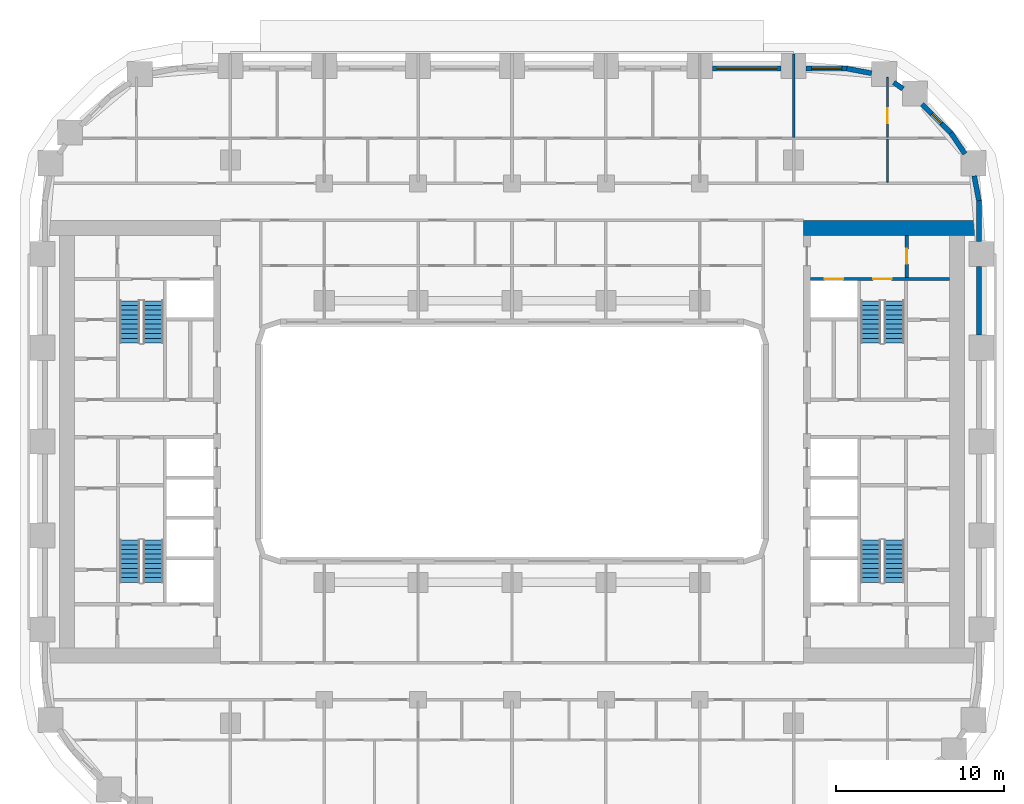
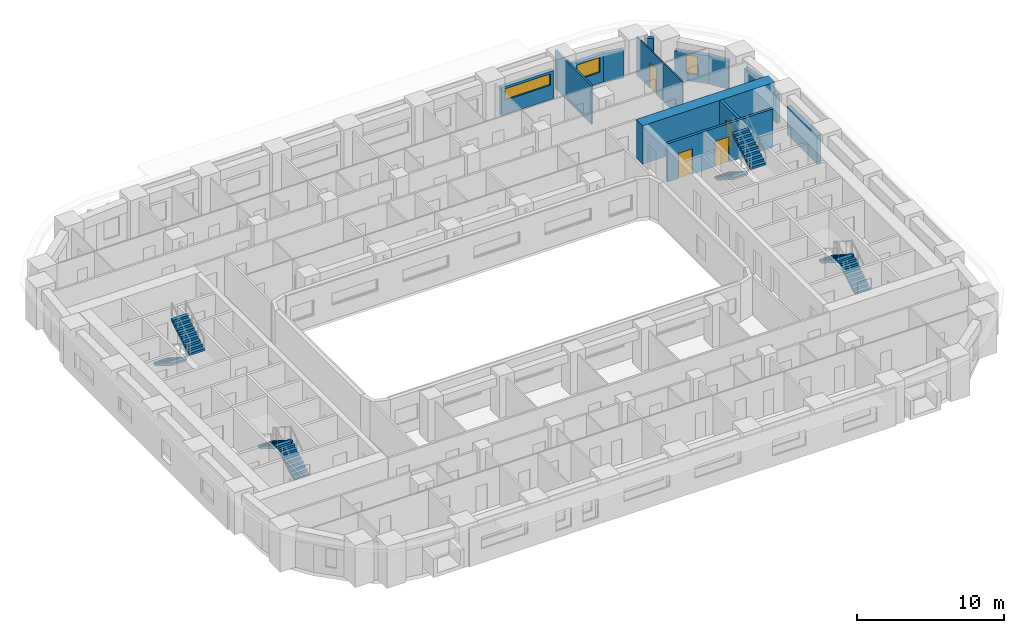
# One storey, part 10 of 22: 15 walls, 8 stair flights, 4 doors, 3 windows, 7 openings, 4 elements without a shape of their own.
"""IFC4 building model written with IfcOpenShell, lengths in metres."""

import ifcopenshell
import ifcopenshell.guid

model = None  # the IFC model being written
_history = None  # IfcOwnerHistory: only IFC2X3 demands one
_inside = {}  # id of a spatial element -> (the spatial element, [elements in it])
_under = {}  # id of a project, library or spatial element -> (it, [spatial elements below it])
_declared = {}  # id of a project -> (the project, [libraries it declares])
_typed = {}  # id of a type object -> (the type object, [elements of that type])
_made_of = {}  # id of a material, layer set ... -> (it, [elements and type objects made of it])


def new_model(schema):
    """Start an empty IFC model of exactly this schema.

    Asked for "IFC4X3", IfcOpenShell would pick the latest addendum, in which some entities
    have other attributes; the version numbers below select the first issue.
    IFC2X3 requires an IfcOwnerHistory on every rooted entity: one is made here for all.
    """
    global model, _history
    if schema == "IFC4X3":
        model = ifcopenshell.file(schema_version=(4, 3, 0, 0))
    else:
        model = ifcopenshell.file(schema=schema)
    _inside.clear()
    _under.clear()
    _declared.clear()
    _typed.clear()
    _made_of.clear()
    _history = None
    if model.schema == "IFC2X3":
        org = make("IfcOrganization", Name="unknown")
        user = make(
            "IfcPersonAndOrganization",
            ThePerson=make("IfcPerson", FamilyName="unknown"),
            TheOrganization=org,
        )
        app = make(
            "IfcApplication",
            ApplicationDeveloper=org,
            Version="unknown",
            ApplicationFullName="unknown",
            ApplicationIdentifier="unknown",
        )
        _history = make(
            "IfcOwnerHistory",
            OwningUser=user,
            OwningApplication=app,
            ChangeAction="ADDED",
            CreationDate=0,
        )
    return model


def make(cls, **values):
    """One entity of the class cls with the attributes given. An attribute that is None is left unset."""
    return model.create_entity(
        cls, **{name: value for name, value in values.items() if value is not None}
    )


def rooted(cls, **values):
    """An entity with a GlobalId (a new one), such as an element, a storey or a relation."""
    return make(cls, GlobalId=ifcopenshell.guid.new(), OwnerHistory=_history, **values)


def si_unit(unit_type, name, prefix=None):
    """IfcSIUnit, for example si_unit("LENGTHUNIT", "METRE", prefix="MILLI")."""
    return make("IfcSIUnit", UnitType=unit_type, Prefix=prefix, Name=name)


def assignment(units):
    """IfcUnitAssignment: the units of a project."""
    return None if units is None else make("IfcUnitAssignment", Units=units)


def point(xyz):
    """IfcCartesianPoint."""
    return None if xyz is None else make("IfcCartesianPoint", Coordinates=xyz)


def direction(xyz):
    """IfcDirection."""
    return None if xyz is None else make("IfcDirection", DirectionRatios=xyz)


def frame(location, z_axis=None, x_axis=None):
    """IfcAxis2Placement3D, a coordinate frame: its origin and axes. An axis left out is left unset."""
    return make(
        "IfcAxis2Placement3D",
        Location=point(location),
        Axis=direction(z_axis),
        RefDirection=direction(x_axis),
    )


def frame_2d(location, x_axis=None):
    """IfcAxis2Placement2D, a coordinate frame in the plane: its origin and x axis."""
    return make(
        "IfcAxis2Placement2D", Location=point(location), RefDirection=direction(x_axis)
    )


def origin():
    """The frame at (0, 0, 0) with its axes left unset."""
    return frame((0.0, 0.0, 0.0))


def place(relative_to, where):
    """IfcLocalPlacement: puts the frame where relative to a parent placement (None: the world)."""
    return make(
        "IfcLocalPlacement", PlacementRelTo=relative_to, RelativePlacement=where
    )


def context(
    kind, dimensions, precision=None, world=None, true_north=None, identifier=None
):
    """IfcGeometricRepresentationContext, for example the 3D "Model" context."""
    return make(
        "IfcGeometricRepresentationContext",
        ContextIdentifier=identifier,
        ContextType=kind,
        CoordinateSpaceDimension=dimensions,
        Precision=precision,
        WorldCoordinateSystem=world,
        TrueNorth=true_north,
    )


def subcontext(parent, identifier, kind, view, scale=None):
    """IfcGeometricRepresentationSubContext, for example "Body" below "Model"."""
    return make(
        "IfcGeometricRepresentationSubContext",
        ContextIdentifier=identifier,
        ContextType=kind,
        ParentContext=parent,
        TargetScale=scale,
        TargetView=view,
    )


def project(units=None, contexts=None):
    """IfcProject with its units and contexts."""
    return rooted(
        "IfcProject",
        Name="project",
        RepresentationContexts=contexts,
        UnitsInContext=assignment(units),
    )


def spatial(cls, under=None, at=None, **own):
    """A site, building, storey or space (cls), placed at a placement, below another one or the project."""
    s = rooted(cls, ObjectPlacement=at, **own)
    if under is not None:
        _under.setdefault(under.id(), (under, []))[1].append(s)
    return s


def polyline(points):
    """IfcPolyline through the points."""
    return make("IfcPolyline", Points=[point(p) for p in points])


def profile(cls, at=None, kind="AREA", **sizes):
    """A parametric profile (cls). Its sizes go by their IFC names, for example OverallWidth=200.0."""
    return make(cls, ProfileType=kind, Position=at, **sizes)


def rectangle(**sizes):
    """IfcRectangleProfileDef."""
    return profile("IfcRectangleProfileDef", **sizes)


def outline(outer, holes=None, kind="AREA"):
    """IfcArbitraryClosedProfileDef: a profile drawn as a closed curve; with holes, ...WithVoids."""
    if holes is None:
        return make("IfcArbitraryClosedProfileDef", ProfileType=kind, OuterCurve=outer)
    return make(
        "IfcArbitraryProfileDefWithVoids",
        ProfileType=kind,
        OuterCurve=outer,
        InnerCurves=holes,
    )


def extrude(swept, where, along, depth):
    """IfcExtrudedAreaSolid: the profile swept, set in the frame where, extruded along a direction by depth."""
    return make(
        "IfcExtrudedAreaSolid",
        SweptArea=swept,
        Position=where,
        ExtrudedDirection=direction(along),
        Depth=depth,
    )


def shape(context_of_items, identifier, shape_type, items):
    """IfcShapeRepresentation: the items that make up one representation, for example the "Body"."""
    return make(
        "IfcShapeRepresentation",
        ContextOfItems=context_of_items,
        RepresentationIdentifier=identifier,
        RepresentationType=shape_type,
        Items=items,
    )


def material(Name=None, Category=None):
    """IfcMaterial."""
    return make("IfcMaterial", Name=Name, Category=Category)


def layer(
    of_material, thickness, ventilated=None, Name=None, Category=None, Priority=None
):
    """IfcMaterialLayer: one layer of a wall or slab, of a material (None: an air gap)."""
    return make(
        "IfcMaterialLayer",
        Material=of_material,
        LayerThickness=thickness,
        IsVentilated=ventilated,
        Name=Name,
        Category=Category,
        Priority=Priority,
    )


def layer_set(layers, Name=None):
    """IfcMaterialLayerSet."""
    return make("IfcMaterialLayerSet", MaterialLayers=layers, LayerSetName=Name)


def made_of(thing, what):
    """Note that an element or type object is made of a material, layer set ...; save() writes the relation."""
    if what is not None:
        _made_of.setdefault(what.id(), (what, []))[1].append(thing)
    return thing


def type_object(cls, material=None, **own):
    """A type object (cls), such as IfcWallType, which elements share."""
    return made_of(rooted(cls, **own), material)


def element(
    cls,
    number,
    at=None,
    inside=None,
    cuts=None,
    type_object=None,
    material=None,
    context=None,
    identifier="Body",
    shape_type=None,
    held_by="IfcProductDefinitionShape",
    body=None,
    shapes=None,
    **own,
):
    """One element of the class cls, such as IfcWall. Its Tag is "e" and its number.

    at: its placement. inside: the storey or other place that contains it. cuts: it is an
    opening in that element (IfcRelVoidsElement). A single representation is given by context,
    identifier, shape_type and body (its items); several are given by shapes. held_by: the class
    of the entity that holds the representations. save() writes the other relations.
    """
    e = rooted(cls, Tag="e%d" % number, ObjectPlacement=at, **own)
    if body is not None:
        shapes = [shape(context, identifier, shape_type, body)]
    if shapes is not None:
        e.Representation = make(held_by, Representations=shapes)
    if inside is not None:
        _inside.setdefault(inside.id(), (inside, []))[1].append(e)
    if cuts is not None:
        rooted(
            "IfcRelVoidsElement", RelatingBuildingElement=cuts, RelatedOpeningElement=e
        )
    if type_object is not None:
        _typed.setdefault(type_object.id(), (type_object, []))[1].append(e)
    return made_of(e, material)


def fill(opening, filler):
    """IfcRelFillsElement: the door or window that sits in an opening."""
    return rooted(
        "IfcRelFillsElement",
        RelatingOpeningElement=opening,
        RelatedBuildingElement=filler,
    )


def aggregate(whole, parts):
    """IfcRelAggregates: a whole, such as a stair, and the parts it consists of."""
    return rooted("IfcRelAggregates", RelatingObject=whole, RelatedObjects=parts)


def save(model, path):
    """Write the relations noted so far, then the file.

    IfcRelAggregates (storeys below a building ...), IfcRelContainedInSpatialStructure (elements
    in a storey), IfcRelDefinesByType, IfcRelAssociatesMaterial and IfcRelDeclares: one each for
    every whole, place, type object, material and project.
    """
    for whole, parts in _under.values():
        aggregate(whole, parts)
    for where, things in _inside.values():
        rooted(
            "IfcRelContainedInSpatialStructure",
            RelatedElements=things,
            RelatingStructure=where,
        )
    for kind, things in _typed.values():
        rooted("IfcRelDefinesByType", RelatedObjects=things, RelatingType=kind)
    for what, things in _made_of.values():
        rooted("IfcRelAssociatesMaterial", RelatedObjects=things, RelatingMaterial=what)
    for by, libraries in _declared.values():
        rooted("IfcRelDeclares", RelatingContext=by, RelatedDefinitions=libraries)
    model.write(path)


model = new_model("IFC4")

# Units and contexts
model_context = context("Model", 3, precision=1e-05, world=origin(), true_north=direction((0.0, 1.0)))
body_context = subcontext(model_context, "Body", "Model", "MODEL_VIEW")
ifc_project = project(units=[si_unit("LENGTHUNIT", "METRE"), si_unit("AREAUNIT", "SQUARE_METRE"), si_unit("VOLUMEUNIT", "CUBIC_METRE"), si_unit("PLANEANGLEUNIT", "RADIAN"), si_unit("MASSUNIT", "GRAM", prefix="KILO")], contexts=[model_context])

# Site, building, storey
site_placement = place(None, origin())
site = spatial("IfcSite", under=ifc_project, at=site_placement, CompositionType="ELEMENT")
building_placement = place(site_placement, origin())
building = spatial("IfcBuilding", under=site, at=building_placement, Name="Kiln Ring Residences", CompositionType="ELEMENT")
storey_placement = place(building_placement, frame((0.0, 0.0, 44.5)))
storey = spatial("IfcBuildingStorey", under=building, at=storey_placement, Name="L10", CompositionType="ELEMENT", Elevation=44.5)

# Wall, opening, door
ifc_material_1 = material(Name="Gypsum board on steel studs", Category="steel")
ifc_layer_1 = layer(ifc_material_1, 0.199951171875)
ifc_layer_set_1 = layer_set([ifc_layer_1], Name="CORE-PARTITION-200")
wall_type_1 = type_object("IfcWallType", Name="CORE-PARTITION-200", PredefinedType="PARTITIONING", material=ifc_layer_set_1)
wall_1_placement = place(storey_placement, frame((23.550048828125, 9.800048828125, 0.0), z_axis=(0.0, 0.0, 1.0), x_axis=(0.0, 1.0, 0.0)))
wall_1 = element("IfcWall", 1, at=wall_1_placement, inside=storey, type_object=wall_type_1, Name="Core partition east L10 4", PredefinedType="PARTITIONING", context=body_context, shape_type="SweptSolid", body=[
    extrude(rectangle(XDim=2.5, YDim=0.199951171875, at=frame_2d((1.25, 0.0))), origin(), (0.0, 0.0, 1.0), 3.199951171875),
])
opening_1_placement = place(wall_1_placement, frame((0.800048828125, 0.0, 0.0)))
opening_1 = element("IfcOpeningElement", 2, at=opening_1_placement, cuts=wall_1, Name="Opening L10-CE10", PredefinedType="OPENING", context=body_context, shape_type="SweptSolid", body=[
    extrude(rectangle(XDim=0.89990234375, YDim=2.10009765625, at=frame_2d((0.449951171875, 1.050048828125))), frame((0.0, 0.10986328125, 0.0), z_axis=(0.0, -1.0, 0.0), x_axis=(1.0, 0.0, 0.0)), (0.0, 0.0, 1.0), 0.219970703125),
])
ifc_material_2 = material(Name="Steel door leaf", Category="steel")
door_type_1 = type_object("IfcDoorType", Name="CORE-DOOR-ROOM", OperationType="SINGLE_SWING_LEFT", PredefinedType="DOOR", material=ifc_material_2)
door_1_placement = place(opening_1_placement, origin())
door_1 = element("IfcDoor", 3, at=door_1_placement, inside=storey, type_object=door_type_1, Name="Fire riser room L10-CE10", OperationType="SINGLE_SWING_LEFT", OverallHeight=2.10009765625, OverallWidth=0.89990234375, PredefinedType="DOOR", context=body_context, shape_type="SweptSolid", body=[
    extrude(rectangle(XDim=0.89990234375, YDim=2.10009765625, at=frame_2d((0.449951171875, 1.050048828125))), frame((0.0, 0.02490234375, 0.0), z_axis=(0.0, -1.0, 0.0), x_axis=(1.0, 0.0, 0.0)), (0.0, 0.0, 1.0), 0.050048828125),
])
fill(opening_1, door_1)

# Wall, openings, doors
ifc_material_3 = material(Name="Concrete C40/50", Category="concrete")
ifc_layer_2 = layer(ifc_material_3, 0.199951171875)
ifc_layer_set_2 = layer_set([ifc_layer_2], Name="CORE-WALL-RC200")
wall_type_2 = type_object("IfcWallType", Name="CORE-WALL-RC200", PredefinedType="SHEAR", material=ifc_layer_set_2)
wall_2_placement = place(storey_placement, frame((17.800048828125, 9.699951171875, 0.0), z_axis=(0.0, 0.0, 1.0), x_axis=(1.0, 0.0, 0.0)))
wall_2 = element("IfcWall", 4, at=wall_2_placement, inside=storey, type_object=wall_type_2, Name="Core wall east L10 9", PredefinedType="SHEAR", context=body_context, shape_type="SweptSolid", body=[
    extrude(rectangle(XDim=8.300048828125, YDim=0.199951171875, at=frame_2d((4.14990234375, 0.0))), origin(), (0.0, 0.0, 1.0), 3.199951171875),
])
opening_2_placement = place(wall_2_placement, frame((0.85009765625, 0.0, 0.0)))
opening_2 = element("IfcOpeningElement", 5, at=opening_2_placement, cuts=wall_2, Name="Opening L10-CE07", PredefinedType="OPENING", context=body_context, shape_type="SweptSolid", body=[
    extrude(rectangle(XDim=1.10009765625, YDim=2.10009765625, at=frame_2d((0.550048828125, 1.050048828125))), frame((0.0, 0.10986328125, 0.0), z_axis=(0.0, -1.0, 0.0), x_axis=(1.0, 0.0, 0.0)), (0.0, 0.0, 1.0), 0.219970703125),
])
opening_3_placement = place(wall_2_placement, frame((3.75, 0.0, 0.0)))
opening_3 = element("IfcOpeningElement", 6, at=opening_3_placement, cuts=wall_2, Name="Opening L10-CE12", PredefinedType="OPENING", context=body_context, shape_type="SweptSolid", body=[
    extrude(rectangle(XDim=1.10009765625, YDim=2.10009765625, at=frame_2d((0.550048828125, 1.050048828125))), frame((0.0, 0.10986328125, 0.0), z_axis=(0.0, -1.0, 0.0), x_axis=(1.0, 0.0, 0.0)), (0.0, 0.0, 1.0), 0.219970703125),
])
ifc_material_4 = material(Name="Steel door leaf", Category="steel")
door_type_2 = type_object("IfcDoorType", Name="CORE-DOOR-LD", OperationType="DOUBLE_DOOR_SLIDING", PredefinedType="DOOR", material=ifc_material_4)
door_2_placement = place(opening_2_placement, origin())
door_2 = element("IfcDoor", 7, at=door_2_placement, inside=storey, type_object=door_type_2, Name="LD E-FF L10-CE07", OperationType="DOUBLE_DOOR_SLIDING", OverallHeight=2.10009765625, OverallWidth=1.10009765625, PredefinedType="DOOR", context=body_context, shape_type="SweptSolid", body=[
    extrude(rectangle(XDim=1.10009765625, YDim=2.10009765625, at=frame_2d((0.550048828125, 1.050048828125))), frame((0.0, 0.02490234375, 0.0), z_axis=(0.0, -1.0, 0.0), x_axis=(1.0, 0.0, 0.0)), (0.0, 0.0, 1.0), 0.050048828125),
])
fill(opening_2, door_2)
ifc_material_5 = material(Name="Steel door leaf", Category="steel")
door_type_3 = type_object("IfcDoorType", Name="CORE-DOOR-STAIR", OperationType="SINGLE_SWING_LEFT", PredefinedType="DOOR", material=ifc_material_5)
door_3_placement = place(opening_3_placement, origin())
door_3 = element("IfcDoor", 8, at=door_3_placement, inside=storey, type_object=door_type_3, Name="Stair E-STN L10-CE12", OperationType="SINGLE_SWING_LEFT", OverallHeight=2.10009765625, OverallWidth=1.10009765625, PredefinedType="DOOR", context=body_context, shape_type="SweptSolid", body=[
    extrude(rectangle(XDim=1.10009765625, YDim=2.10009765625, at=frame_2d((0.550048828125, 1.050048828125))), frame((0.0, 0.02490234375, 0.0), z_axis=(0.0, -1.0, 0.0), x_axis=(1.0, 0.0, 0.0)), (0.0, 0.0, 1.0), 0.050048828125),
])
fill(opening_3, door_3)

# Walls
ifc_material_6 = material(Name="Concrete C60/75", Category="concrete")
ifc_layer_3 = layer(ifc_material_6, 0.89990234375)
ifc_layer_set_3 = layer_set([ifc_layer_3], Name="CORE-WALL-RC900")
wall_type_3 = type_object("IfcWallType", Name="CORE-WALL-RC900", PredefinedType="SHEAR", material=ifc_layer_set_3)
wall_3_placement = place(storey_placement, frame((17.39990234375, 12.75, 0.0), z_axis=(0.0, 0.0, 1.0), x_axis=(1.0, 0.0, 0.0)))
element("IfcWall", 9, at=wall_3_placement, inside=storey, type_object=wall_type_3, Name="Core wall east L10 4", PredefinedType="SHEAR", context=body_context, shape_type="SweptSolid", body=[
    extrude(rectangle(XDim=10.400146484375, YDim=0.89990234375, at=frame_2d((5.2001953125, 0.0))), origin(), (0.0, 0.0, 1.0), 3.199951171875),
])
ifc_material_7 = material(Name="Brick masonry, dark clay brick", Category="masonry")
ifc_layer_4 = layer(ifc_material_7, 0.300048828125)
ifc_layer_set_4 = layer_set([ifc_layer_4], Name="EW-300 BRICK WALL")
wall_type_4 = type_object("IfcWallType", Name="EW-300 BRICK WALL", PredefinedType="SOLIDWALL", material=ifc_layer_set_4)
wall_4_placement = place(storey_placement, frame((27.85009765625, 6.35009765625, 0.0), z_axis=(0.0, 0.0, 1.0), x_axis=(0.0, 1.0, 0.0)))
element("IfcWall", 10, at=wall_4_placement, inside=storey, type_object=wall_type_4, Name="Facade wall L10 21", PredefinedType="SOLIDWALL", context=body_context, shape_type="SweptSolid", body=[
    extrude(rectangle(XDim=4.099853515625, YDim=0.300048828125, at=frame_2d((2.0498046875, 0.0))), origin(), (0.0, 0.0, 1.0), 2.35009765625),
])
wall_5_placement = place(storey_placement, frame((27.85009765625, 11.949951171875, 0.0), z_axis=(0.0, 0.0, 1.0), x_axis=(0.0, 1.0, 0.0)))
element("IfcWall", 11, at=wall_5_placement, inside=storey, type_object=wall_type_4, Name="Facade wall L10 22", PredefinedType="SOLIDWALL", context=body_context, shape_type="SweptSolid", body=[
    extrude(rectangle(XDim=2.449951171875, YDim=0.300048828125, at=frame_2d((1.22509765625, 0.0))), origin(), (0.0, 0.0, 1.0), 2.35009765625),
])
for number, where, z_axis, x_axis, name in (
    (12, (27.8525390625, 14.371826171875, 0.0), (0.0, 0.0, 1.0), (-0.187223837635, 0.982317277982, 0.0), "Facade wall L10 23"),
    (13, (27.025390625, 17.1669921875, 0.0), (0.0, 0.0, 1.0), (-0.561973021955, 0.827155561303, 0.0), "Facade wall L10 24"),
):
    element("IfcWall", number, at=place(storey_placement, frame(where, z_axis=z_axis, x_axis=x_axis)), inside=storey, type_object=wall_type_4, Name=name, PredefinedType="SOLIDWALL", context=body_context, shape_type="SweptSolid", body=[
        extrude(rectangle(XDim=1.506103515625, YDim=0.300048828125, at=frame_2d((0.7529296875, 0.0))), origin(), (0.0, 0.0, 1.0), 2.35009765625),
    ])

# Wall, opening, window
wall_6_placement = place(storey_placement, frame((26.19677734375, 18.390869140625, 0.0), z_axis=(0.0, 0.0, 1.0), x_axis=(-0.707106781187, 0.707106781187, 0.0)))
wall_6 = element("IfcWall", 14, at=wall_6_placement, inside=storey, type_object=wall_type_4, Name="Facade wall L10 25", PredefinedType="SOLIDWALL", context=body_context, shape_type="SweptSolid", body=[
    extrude(rectangle(XDim=2.449951171875, YDim=0.300048828125, at=frame_2d((1.22509765625, 0.0))), origin(), (0.0, 0.0, 1.0), 2.35009765625),
])
opening_4_placement = place(wall_6_placement, frame((0.824951171875, 0.0, 0.60009765625)))
opening_4 = element("IfcOpeningElement", 15, at=opening_4_placement, cuts=wall_6, Name="Opening W5", PredefinedType="OPENING", context=body_context, shape_type="SweptSolid", body=[
    extrude(rectangle(XDim=0.800048828125, YDim=1.550048828125, at=frame_2d((0.39990234375, 0.77490234375))), frame((0.0, 0.159912109375, 0.0), z_axis=(0.0, -1.0, 0.0), x_axis=(1.0, 0.0, 0.0)), (0.0, 0.0, 1.0), 0.320068359375),
])
ifc_material_8 = material(Name="Aluminium frame with double glazing", Category="aluminium")
window_type_1 = type_object("IfcWindowType", Name="WINDOW 800 x 1550", PartitioningType="SINGLE_PANEL", PredefinedType="WINDOW", material=ifc_material_8)
window_1_placement = place(opening_4_placement, origin())
window_1 = element("IfcWindow", 16, at=window_1_placement, inside=storey, type_object=window_type_1, Name="Window L10 12", OverallHeight=1.550048828125, OverallWidth=0.800048828125, PartitioningType="SINGLE_PANEL", PredefinedType="WINDOW", context=body_context, shape_type="SweptSolid", body=[
    extrude(rectangle(XDim=0.800048828125, YDim=1.550048828125, at=frame_2d((0.39990234375, 0.77490234375))), frame((0.0, 0.030029296875, 0.0), z_axis=(0.0, -1.0, 0.0), x_axis=(1.0, 0.0, 0.0)), (0.0, 0.0, 1.0), 0.06005859375),
])
fill(opening_4, window_1)

# Walls
wall_7_placement = place(storey_placement, frame((23.3271484375, 21.044921875, 0.0), z_axis=(0.0, 0.0, 1.0), x_axis=(-0.827080706709, 0.562083182981, 0.0)))
element("IfcWall", 17, at=wall_7_placement, inside=storey, type_object=wall_type_4, Name="Facade wall L10 26", PredefinedType="SOLIDWALL", context=body_context, shape_type="SweptSolid", body=[
    extrude(rectangle(XDim=0.67724609375, YDim=0.300048828125, at=frame_2d((0.338623046875, 0.0))), origin(), (0.0, 0.0, 1.0), 3.199951171875),
])
wall_8_placement = place(storey_placement, frame((21.451416015625, 21.970458984375, 0.0), z_axis=(0.0, 0.0, 1.0), x_axis=(-0.982287454367, 0.187380247071, 0.0)))
element("IfcWall", 18, at=wall_8_placement, inside=storey, type_object=wall_type_4, Name="Facade wall L10 27", PredefinedType="SOLIDWALL", context=body_context, shape_type="SweptSolid", body=[
    extrude(rectangle(XDim=1.506103515625, YDim=0.300048828125, at=frame_2d((0.7529296875, 0.0))), origin(), (0.0, 0.0, 1.0), 2.35009765625),
])

# Wall, opening, window
wall_9_placement = place(storey_placement, frame((20.0, 22.25, 0.0), z_axis=(0.0, 0.0, 1.0), x_axis=(-1.0, 0.0, 0.0)))
wall_9 = element("IfcWall", 19, at=wall_9_placement, inside=storey, type_object=wall_type_4, Name="Facade wall L10 28", PredefinedType="SOLIDWALL", context=body_context, shape_type="SweptSolid", body=[
    extrude(rectangle(XDim=2.449951171875, YDim=0.300048828125, at=frame_2d((1.22509765625, 0.0))), origin(), (0.0, 0.0, 1.0), 2.35009765625),
])
opening_5_placement = place(wall_9_placement, frame((0.324951171875, 0.0, 0.89990234375)))
opening_5 = element("IfcOpeningElement", 20, at=opening_5_placement, cuts=wall_9, Name="Opening W2", PredefinedType="OPENING", context=body_context, shape_type="SweptSolid", body=[
    extrude(rectangle(XDim=1.800048828125, YDim=1.25, at=frame_2d((0.89990234375, 0.625))), frame((0.0, 0.159912109375, 0.0), z_axis=(0.0, -1.0, 0.0), x_axis=(1.0, 0.0, 0.0)), (0.0, 0.0, 1.0), 0.320068359375),
])
ifc_material_9 = material(Name="Aluminium frame with double glazing", Category="aluminium")
window_type_2 = type_object("IfcWindowType", Name="WINDOW 1800 x 1250", PartitioningType="SINGLE_PANEL", PredefinedType="WINDOW", material=ifc_material_9)
window_2_placement = place(opening_5_placement, origin())
window_2 = element("IfcWindow", 21, at=window_2_placement, inside=storey, type_object=window_type_2, Name="Window L10 13", OverallHeight=1.25, OverallWidth=1.800048828125, PartitioningType="SINGLE_PANEL", PredefinedType="WINDOW", context=body_context, shape_type="SweptSolid", body=[
    extrude(rectangle(XDim=1.800048828125, YDim=1.25, at=frame_2d((0.89990234375, 0.625))), frame((0.0, 0.030029296875, 0.0), z_axis=(0.0, -1.0, 0.0), x_axis=(1.0, 0.0, 0.0)), (0.0, 0.0, 1.0), 0.06005859375),
])
fill(opening_5, window_2)

wall_10_placement = place(storey_placement, frame((16.050048828125, 22.25, 0.0), z_axis=(0.0, 0.0, 1.0), x_axis=(-1.0, 0.0, 0.0)))
wall_10 = element("IfcWall", 22, at=wall_10_placement, inside=storey, type_object=wall_type_4, Name="Facade wall L10 29", PredefinedType="SOLIDWALL", context=body_context, shape_type="SweptSolid", body=[
    extrude(rectangle(XDim=4.10009765625, YDim=0.300048828125, at=frame_2d((2.050048828125, 0.0))), origin(), (0.0, 0.0, 1.0), 2.35009765625),
])
opening_6_placement = place(wall_10_placement, frame((0.25, 0.0, 1.199951171875)))
opening_6 = element("IfcOpeningElement", 23, at=opening_6_placement, cuts=wall_10, Name="Opening W4", PredefinedType="OPENING", context=body_context, shape_type="SweptSolid", body=[
    extrude(rectangle(XDim=3.60009765625, YDim=0.949951171875, at=frame_2d((1.800048828125, 0.47509765625))), frame((0.0, 0.159912109375, 0.0), z_axis=(0.0, -1.0, 0.0), x_axis=(1.0, 0.0, 0.0)), (0.0, 0.0, 1.0), 0.320068359375),
])
ifc_material_10 = material(Name="Aluminium frame with double glazing", Category="aluminium")
window_type_3 = type_object("IfcWindowType", Name="WINDOW 3600 x 950", PartitioningType="SINGLE_PANEL", PredefinedType="WINDOW", material=ifc_material_10)
window_3_placement = place(opening_6_placement, origin())
window_3 = element("IfcWindow", 24, at=window_3_placement, inside=storey, type_object=window_type_3, Name="Window L10 14", OverallHeight=0.949951171875, OverallWidth=3.60009765625, PartitioningType="SINGLE_PANEL", PredefinedType="WINDOW", context=body_context, shape_type="SweptSolid", body=[
    extrude(rectangle(XDim=3.60009765625, YDim=0.949951171875, at=frame_2d((1.800048828125, 0.47509765625))), frame((0.0, 0.030029296875, 0.0), z_axis=(0.0, -1.0, 0.0), x_axis=(1.0, 0.0, 0.0)), (0.0, 0.0, 1.0), 0.06005859375),
])
fill(opening_6, window_3)

# Wall
ifc_material_11 = material(Name="Gypsum board on steel studs", Category="steel")
ifc_layer_5 = layer(ifc_material_11, 0.10009765625)
ifc_layer_set_5 = layer_set([ifc_layer_5], Name="PARTITION-100")
wall_type_5 = type_object("IfcWallType", Name="PARTITION-100", PredefinedType="PARTITIONING", material=ifc_layer_set_5)
wall_11_placement = place(storey_placement, frame((22.39990234375, 15.47509765625, 0.0), z_axis=(0.0, 0.0, 1.0), x_axis=(0.0, 1.0, 0.0)))
element("IfcWall", 25, at=wall_11_placement, inside=storey, type_object=wall_type_5, Name="Partition 074", PredefinedType="PARTITIONING", context=body_context, shape_type="SweptSolid", body=[
    extrude(rectangle(XDim=2.574951171875, YDim=0.10009765625, at=frame_2d((1.28759765625, 0.0))), origin(), (0.0, 0.0, 1.0), 3.199951171875),
])

# Wall, opening, door
wall_12_placement = place(storey_placement, frame((22.39990234375, 18.14990234375, 0.0), z_axis=(0.0, 0.0, 1.0), x_axis=(0.0, 1.0, 0.0)))
wall_12 = element("IfcWall", 26, at=wall_12_placement, inside=storey, type_object=wall_type_5, Name="Partition 075", PredefinedType="PARTITIONING", context=body_context, shape_type="SweptSolid", body=[
    extrude(rectangle(XDim=3.570068359375, YDim=0.10009765625, at=frame_2d((1.78515625, 0.0))), origin(), (0.0, 0.0, 1.0), 3.199951171875),
])
opening_7_placement = place(wall_12_placement, frame((0.85009765625, 0.0, 0.0)))
opening_7 = element("IfcOpeningElement", 27, at=opening_7_placement, cuts=wall_12, Name="Opening L10-D044", PredefinedType="OPENING", context=body_context, shape_type="SweptSolid", body=[
    extrude(rectangle(XDim=0.89990234375, YDim=2.10009765625, at=frame_2d((0.449951171875, 1.050048828125))), frame((0.0, 0.06005859375, 0.0), z_axis=(0.0, -1.0, 0.0), x_axis=(1.0, 0.0, 0.0)), (0.0, 0.0, 1.0), 0.1201171875),
])
ifc_material_12 = material(Name="Timber door leaf", Category="wood")
door_type_4 = type_object("IfcDoorType", Name="FLAT-DOOR-900-PL", OperationType="SINGLE_SWING_LEFT", PredefinedType="DOOR", material=ifc_material_12)
door_4_placement = place(opening_7_placement, origin())
door_4 = element("IfcDoor", 28, at=door_4_placement, inside=storey, type_object=door_type_4, Name="Door L10-D044", OperationType="SINGLE_SWING_LEFT", OverallHeight=2.10009765625, OverallWidth=0.89990234375, PredefinedType="DOOR", context=body_context, shape_type="SweptSolid", body=[
    extrude(rectangle(XDim=0.89990234375, YDim=2.10009765625, at=frame_2d((0.449951171875, 1.050048828125))), frame((0.0, 0.02490234375, 0.0), z_axis=(0.0, -1.0, 0.0), x_axis=(1.0, 0.0, 0.0)), (0.0, 0.0, 1.0), 0.050048828125),
])
fill(opening_7, door_4)

# Wall
ifc_material_13 = material(Name="Brick masonry partition", Category="masonry")
ifc_layer_6 = layer(ifc_material_13, 0.14990234375)
ifc_layer_set_6 = layer_set([ifc_layer_6], Name="PARTITION-150-ei60")
wall_type_6 = type_object("IfcWallType", Name="PARTITION-150-ei60", PredefinedType="PARTITIONING", material=ifc_layer_set_6)
wall_13_placement = place(storey_placement, frame((16.800048828125, 18.14990234375, 0.0), z_axis=(0.0, 0.0, 1.0), x_axis=(0.0, 1.0, 0.0)))
element("IfcWall", 29, at=wall_13_placement, inside=storey, type_object=wall_type_6, Name="Partition 071", PredefinedType="PARTITIONING", context=body_context, shape_type="SweptSolid", body=[
    extrude(rectangle(XDim=4.97998046875, YDim=0.14990234375, at=frame_2d((2.489990234375, 0.0))), origin(), (0.0, 0.0, 1.0), 3.199951171875),
])

# Stair, stair flights
ifc_material_14 = material(Name="Concrete C40/50", Category="concrete")
stair_type = type_object("IfcStairType", Name="CORE-STAIR", PredefinedType="HALF_TURN_STAIR", material=ifc_material_14)
placement = place(storey_placement, origin())
stair_1 = element("IfcStair", 30, at=placement, inside=storey, type_object=stair_type, Name="L10 stair W-STN", PredefinedType="HALF_TURN_STAIR")
ifc_material_15 = material(Name="Concrete C40/50", Category="concrete")
stair_flight_type = type_object("IfcStairFlightType", Name="CORE-STAIR-FLIGHT", PredefinedType="STRAIGHT", material=ifc_material_15)
stair_flight_1_placement = place(storey_placement, frame((-22.800048828125, 8.39990234375, 0.0), z_axis=(0.0, 0.0, 1.0), x_axis=(0.0, -1.0, 0.0)))
stair_flight_1 = element("IfcStairFlight", 31, at=stair_flight_1_placement, type_object=stair_flight_type, Name="W-STN flight 1", NumberOfRisers=10, NumberOfTreads=9, PredefinedType="STRAIGHT", RiserHeight=0.175, TreadLength=0.28, context=body_context, shape_type="SweptSolid", body=[
    extrude(outline(polyline([(0.0, 0.0), (0.0, 0.175048828125), (0.280029296875, 0.175048828125), (0.280029296875, 0.35009765625), (0.56005859375, 0.35009765625), (0.56005859375, 0.52490234375), (0.840087890625, 0.52490234375), (0.840087890625, 0.699951171875), (1.1201171875, 0.699951171875), (1.1201171875, 0.875), (1.39990234375, 0.875), (1.39990234375, 1.050048828125), (1.679931640625, 1.050048828125), (1.679931640625, 1.22509765625), (1.9599609375, 1.22509765625), (1.9599609375, 1.39990234375), (2.239990234375, 1.39990234375), (2.239990234375, 1.574951171875), (2.52001953125, 1.574951171875), (2.52001953125, 1.75), (2.52001953125, 1.398193359375), (0.28271484375, 0.0), (0.0, 0.0)])), frame((0.0, 0.60009765625, 0.0), z_axis=(0.0, -1.0, 0.0), x_axis=(1.0, 0.0, 0.0)), (0.0, 0.0, 1.0), 1.199951171875),
])
stair_flight_2_placement = place(storey_placement, frame((-21.39990234375, 5.8798828125, 1.75), z_axis=(0.0, 0.0, 1.0), x_axis=(0.0, 1.0, 0.0)))
stair_flight_2 = element("IfcStairFlight", 32, at=stair_flight_2_placement, type_object=stair_flight_type, Name="W-STN flight 2", NumberOfRisers=10, NumberOfTreads=9, PredefinedType="STRAIGHT", RiserHeight=0.175, TreadLength=0.28, context=body_context, shape_type="SweptSolid", body=[
    extrude(outline(polyline([(0.0, 0.0), (0.0, 0.175048828125), (0.280029296875, 0.175048828125), (0.280029296875, 0.35009765625), (0.56005859375, 0.35009765625), (0.56005859375, 0.52490234375), (0.840087890625, 0.52490234375), (0.840087890625, 0.699951171875), (1.1201171875, 0.699951171875), (1.1201171875, 0.875), (1.39990234375, 0.875), (1.39990234375, 1.050048828125), (1.679931640625, 1.050048828125), (1.679931640625, 1.22509765625), (1.9599609375, 1.22509765625), (1.9599609375, 1.39990234375), (2.239990234375, 1.39990234375), (2.239990234375, 1.574951171875), (2.52001953125, 1.574951171875), (2.52001953125, 1.75), (2.52001953125, 1.398193359375), (0.28271484375, 0.0), (0.0, 0.0)])), frame((0.0, 0.60009765625, 0.0), z_axis=(0.0, -1.0, 0.0), x_axis=(1.0, 0.0, 0.0)), (0.0, 0.0, 1.0), 1.199951171875),
])
aggregate(stair_1, [stair_flight_1, stair_flight_2])

stair_2 = element("IfcStair", 33, at=placement, inside=storey, type_object=stair_type, Name="L10 stair W-STS", PredefinedType="HALF_TURN_STAIR")
stair_flight_3_placement = place(storey_placement, frame((-21.39990234375, -8.39990234375, 0.0), z_axis=(0.0, 0.0, 1.0), x_axis=(0.0, 1.0, 0.0)))
stair_flight_3 = element("IfcStairFlight", 34, at=stair_flight_3_placement, type_object=stair_flight_type, Name="W-STS flight 1", NumberOfRisers=10, NumberOfTreads=9, PredefinedType="STRAIGHT", RiserHeight=0.175, TreadLength=0.28, context=body_context, shape_type="SweptSolid", body=[
    extrude(outline(polyline([(0.0, 0.0), (0.0, 0.175048828125), (0.280029296875, 0.175048828125), (0.280029296875, 0.35009765625), (0.56005859375, 0.35009765625), (0.56005859375, 0.52490234375), (0.840087890625, 0.52490234375), (0.840087890625, 0.699951171875), (1.1201171875, 0.699951171875), (1.1201171875, 0.875), (1.39990234375, 0.875), (1.39990234375, 1.050048828125), (1.679931640625, 1.050048828125), (1.679931640625, 1.22509765625), (1.9599609375, 1.22509765625), (1.9599609375, 1.39990234375), (2.239990234375, 1.39990234375), (2.239990234375, 1.574951171875), (2.52001953125, 1.574951171875), (2.52001953125, 1.75), (2.52001953125, 1.398193359375), (0.28271484375, 0.0), (0.0, 0.0)])), frame((0.0, 0.60009765625, 0.0), z_axis=(0.0, -1.0, 0.0), x_axis=(1.0, 0.0, 0.0)), (0.0, 0.0, 1.0), 1.199951171875),
])
stair_flight_4_placement = place(storey_placement, frame((-22.800048828125, -5.8798828125, 1.75), z_axis=(0.0, 0.0, 1.0), x_axis=(0.0, -1.0, 0.0)))
stair_flight_4 = element("IfcStairFlight", 35, at=stair_flight_4_placement, type_object=stair_flight_type, Name="W-STS flight 2", NumberOfRisers=10, NumberOfTreads=9, PredefinedType="STRAIGHT", RiserHeight=0.175, TreadLength=0.28, context=body_context, shape_type="SweptSolid", body=[
    extrude(outline(polyline([(0.0, 0.0), (0.0, 0.175048828125), (0.280029296875, 0.175048828125), (0.280029296875, 0.35009765625), (0.56005859375, 0.35009765625), (0.56005859375, 0.52490234375), (0.840087890625, 0.52490234375), (0.840087890625, 0.699951171875), (1.1201171875, 0.699951171875), (1.1201171875, 0.875), (1.39990234375, 0.875), (1.39990234375, 1.050048828125), (1.679931640625, 1.050048828125), (1.679931640625, 1.22509765625), (1.9599609375, 1.22509765625), (1.9599609375, 1.39990234375), (2.239990234375, 1.39990234375), (2.239990234375, 1.574951171875), (2.52001953125, 1.574951171875), (2.52001953125, 1.75), (2.52001953125, 1.398193359375), (0.28271484375, 0.0), (0.0, 0.0)])), frame((0.0, 0.60009765625, 0.0), z_axis=(0.0, -1.0, 0.0), x_axis=(1.0, 0.0, 0.0)), (0.0, 0.0, 1.0), 1.199951171875),
])
aggregate(stair_2, [stair_flight_3, stair_flight_4])

stair_3 = element("IfcStair", 36, at=placement, inside=storey, type_object=stair_type, Name="L10 stair E-STN", PredefinedType="HALF_TURN_STAIR")
stair_flight_5_placement = place(storey_placement, frame((21.39990234375, 8.39990234375, 0.0), z_axis=(0.0, 0.0, 1.0), x_axis=(0.0, -1.0, 0.0)))
stair_flight_5 = element("IfcStairFlight", 37, at=stair_flight_5_placement, type_object=stair_flight_type, Name="E-STN flight 1", NumberOfRisers=10, NumberOfTreads=9, PredefinedType="STRAIGHT", RiserHeight=0.175, TreadLength=0.28, context=body_context, shape_type="SweptSolid", body=[
    extrude(outline(polyline([(0.0, 0.0), (0.0, 0.175048828125), (0.280029296875, 0.175048828125), (0.280029296875, 0.35009765625), (0.56005859375, 0.35009765625), (0.56005859375, 0.52490234375), (0.840087890625, 0.52490234375), (0.840087890625, 0.699951171875), (1.1201171875, 0.699951171875), (1.1201171875, 0.875), (1.39990234375, 0.875), (1.39990234375, 1.050048828125), (1.679931640625, 1.050048828125), (1.679931640625, 1.22509765625), (1.9599609375, 1.22509765625), (1.9599609375, 1.39990234375), (2.239990234375, 1.39990234375), (2.239990234375, 1.574951171875), (2.52001953125, 1.574951171875), (2.52001953125, 1.75), (2.52001953125, 1.398193359375), (0.28271484375, 0.0), (0.0, 0.0)])), frame((0.0, 0.60009765625, 0.0), z_axis=(0.0, -1.0, 0.0), x_axis=(1.0, 0.0, 0.0)), (0.0, 0.0, 1.0), 1.199951171875),
])
stair_flight_6_placement = place(storey_placement, frame((22.800048828125, 5.8798828125, 1.75), z_axis=(0.0, 0.0, 1.0), x_axis=(0.0, 1.0, 0.0)))
stair_flight_6 = element("IfcStairFlight", 38, at=stair_flight_6_placement, type_object=stair_flight_type, Name="E-STN flight 2", NumberOfRisers=10, NumberOfTreads=9, PredefinedType="STRAIGHT", RiserHeight=0.175, TreadLength=0.28, context=body_context, shape_type="SweptSolid", body=[
    extrude(outline(polyline([(0.0, 0.0), (0.0, 0.175048828125), (0.280029296875, 0.175048828125), (0.280029296875, 0.35009765625), (0.56005859375, 0.35009765625), (0.56005859375, 0.52490234375), (0.840087890625, 0.52490234375), (0.840087890625, 0.699951171875), (1.1201171875, 0.699951171875), (1.1201171875, 0.875), (1.39990234375, 0.875), (1.39990234375, 1.050048828125), (1.679931640625, 1.050048828125), (1.679931640625, 1.22509765625), (1.9599609375, 1.22509765625), (1.9599609375, 1.39990234375), (2.239990234375, 1.39990234375), (2.239990234375, 1.574951171875), (2.52001953125, 1.574951171875), (2.52001953125, 1.75), (2.52001953125, 1.398193359375), (0.28271484375, 0.0), (0.0, 0.0)])), frame((0.0, 0.60009765625, 0.0), z_axis=(0.0, -1.0, 0.0), x_axis=(1.0, 0.0, 0.0)), (0.0, 0.0, 1.0), 1.199951171875),
])
aggregate(stair_3, [stair_flight_5, stair_flight_6])

stair_4 = element("IfcStair", 39, at=placement, inside=storey, type_object=stair_type, Name="L10 stair E-STS", PredefinedType="HALF_TURN_STAIR")
stair_flight_7_placement = place(storey_placement, frame((22.800048828125, -8.39990234375, 0.0), z_axis=(0.0, 0.0, 1.0), x_axis=(0.0, 1.0, 0.0)))
stair_flight_7 = element("IfcStairFlight", 40, at=stair_flight_7_placement, type_object=stair_flight_type, Name="E-STS flight 1", NumberOfRisers=10, NumberOfTreads=9, PredefinedType="STRAIGHT", RiserHeight=0.175, TreadLength=0.28, context=body_context, shape_type="SweptSolid", body=[
    extrude(outline(polyline([(0.0, 0.0), (0.0, 0.175048828125), (0.280029296875, 0.175048828125), (0.280029296875, 0.35009765625), (0.56005859375, 0.35009765625), (0.56005859375, 0.52490234375), (0.840087890625, 0.52490234375), (0.840087890625, 0.699951171875), (1.1201171875, 0.699951171875), (1.1201171875, 0.875), (1.39990234375, 0.875), (1.39990234375, 1.050048828125), (1.679931640625, 1.050048828125), (1.679931640625, 1.22509765625), (1.9599609375, 1.22509765625), (1.9599609375, 1.39990234375), (2.239990234375, 1.39990234375), (2.239990234375, 1.574951171875), (2.52001953125, 1.574951171875), (2.52001953125, 1.75), (2.52001953125, 1.398193359375), (0.28271484375, 0.0), (0.0, 0.0)])), frame((0.0, 0.60009765625, 0.0), z_axis=(0.0, -1.0, 0.0), x_axis=(1.0, 0.0, 0.0)), (0.0, 0.0, 1.0), 1.199951171875),
])
stair_flight_8_placement = place(storey_placement, frame((21.39990234375, -5.8798828125, 1.75), z_axis=(0.0, 0.0, 1.0), x_axis=(0.0, -1.0, 0.0)))
stair_flight_8 = element("IfcStairFlight", 41, at=stair_flight_8_placement, type_object=stair_flight_type, Name="E-STS flight 2", NumberOfRisers=10, NumberOfTreads=9, PredefinedType="STRAIGHT", RiserHeight=0.175, TreadLength=0.28, context=body_context, shape_type="SweptSolid", body=[
    extrude(outline(polyline([(0.0, 0.0), (0.0, 0.175048828125), (0.280029296875, 0.175048828125), (0.280029296875, 0.35009765625), (0.56005859375, 0.35009765625), (0.56005859375, 0.52490234375), (0.840087890625, 0.52490234375), (0.840087890625, 0.699951171875), (1.1201171875, 0.699951171875), (1.1201171875, 0.875), (1.39990234375, 0.875), (1.39990234375, 1.050048828125), (1.679931640625, 1.050048828125), (1.679931640625, 1.22509765625), (1.9599609375, 1.22509765625), (1.9599609375, 1.39990234375), (2.239990234375, 1.39990234375), (2.239990234375, 1.574951171875), (2.52001953125, 1.574951171875), (2.52001953125, 1.75), (2.52001953125, 1.398193359375), (0.28271484375, 0.0), (0.0, 0.0)])), frame((0.0, 0.60009765625, 0.0), z_axis=(0.0, -1.0, 0.0), x_axis=(1.0, 0.0, 0.0)), (0.0, 0.0, 1.0), 1.199951171875),
])
aggregate(stair_4, [stair_flight_7, stair_flight_8])

save(model, "model.ifc")
